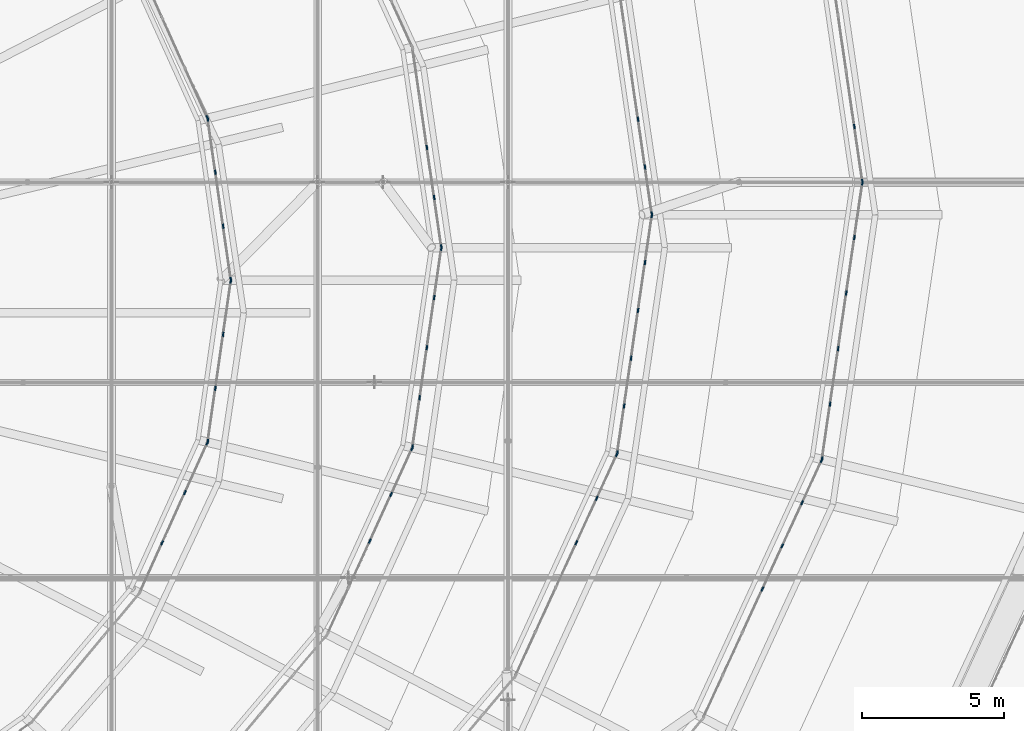
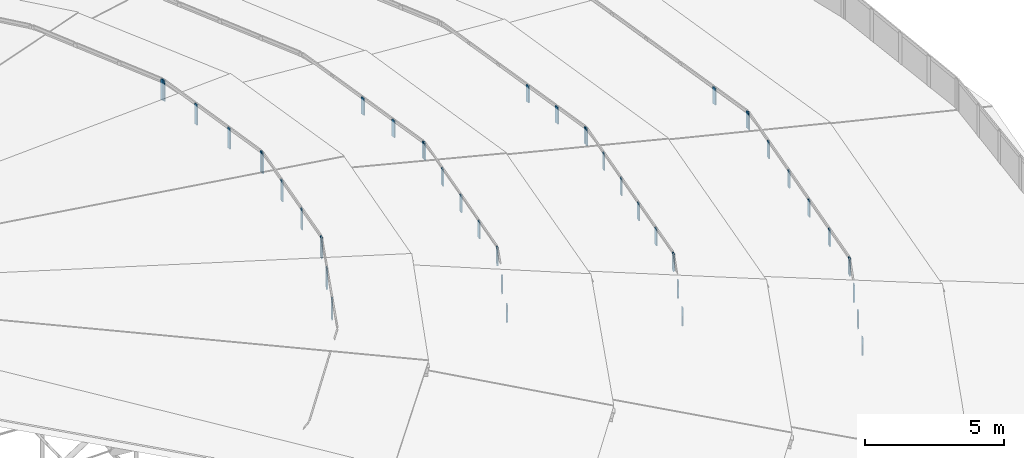
# One storey, part 133 of 173: 47 members, 13 elements without a shape of their own.
"""IFC4 building model written with IfcOpenShell, lengths in metres."""

from ifc_helpers import new_model, si_unit, direction, frame, origin, origin_2d, place, context, subcontext, project, spatial, rectangle, extrude, material, material_profile, profile_set, type_object, element, aggregate, save


model = new_model("IFC4")

# Units and contexts
model_context = context("Model", 3, precision=1e-05, world=origin(), true_north=direction((0.0, 1.0)))
body_context = subcontext(model_context, "Body", "Model", "MODEL_VIEW")
ifc_project = project(units=[si_unit("LENGTHUNIT", "METRE"), si_unit("AREAUNIT", "SQUARE_METRE"), si_unit("VOLUMEUNIT", "CUBIC_METRE"), si_unit("PLANEANGLEUNIT", "RADIAN"), si_unit("MASSUNIT", "GRAM", prefix="KILO")], contexts=[model_context])

# Site, building, storey
site_placement = place(None, origin())
site = spatial("IfcSite", under=ifc_project, at=site_placement, CompositionType="ELEMENT")
building_placement = place(site_placement, origin())
building = spatial("IfcBuilding", under=site, at=building_placement, Name="Glasvene Arena", CompositionType="ELEMENT")
storey_placement = place(building_placement, frame((0.0, 0.0, 28.800048828125)))
storey = spatial("IfcBuildingStorey", under=building, at=storey_placement, Name="RF", CompositionType="ELEMENT", Elevation=28.800048828125)

# Curtain wall, members
ifc_material_1 = material(Name="Low-emissivity laminated double glazing", Category="glass")
curtain_wall_type_1 = type_object("IfcCurtainWallType", Name="CW-PET1-986x75", PredefinedType="USERDEFINED", material=ifc_material_1)
curtain_wall_1_placement = place(storey_placement, frame((133.85009765625, 73.0, 0.0)))
curtain_wall_1 = element("IfcCurtainWall", 1, at=curtain_wall_1_placement, inside=storey, type_object=curtain_wall_type_1, Name="Petal ring 1-2 clerestory curtain wall 01", ObjectType="CURTAIN WALL", PredefinedType="USERDEFINED")
ifc_material_2 = material(Name="Anodised architectural aluminium", Category="aluminium")
ifc_material_profile = material_profile(ifc_material_2, rectangle(XDim=0.050048828125, YDim=0.159912109375, at=origin_2d()), Name="ALU MULLION 50x160")
ifc_profile_set = profile_set([ifc_material_profile], Name="Anodised architectural aluminium")
member_type = type_object("IfcMemberType", Name="CW-MUL-150", PredefinedType="MULLION", material=ifc_profile_set)
member_1_placement = place(storey_placement, frame((133.846435546875, 73.024658203125, 2.579833984375), z_axis=(0.0, 0.0, 1.0), x_axis=(-0.989489040641, -0.144607878249, 0.0)))
member_1 = element("IfcMember", 2, at=member_1_placement, type_object=member_type, Name="CW-081 mullion 1", PredefinedType="MULLION", context=body_context, shape_type="SweptSolid", body=[
    extrude(rectangle(XDim=0.050048828125, YDim=0.159912109375, at=origin_2d()), origin(), (0.0, 0.0, 1.0), 0.75),
])
member_2_placement = place(storey_placement, frame((133.564697265625, 74.951416015625, 2.579833984375), z_axis=(0.0, 0.0, 1.0), x_axis=(-0.989489040641, -0.144607878249, 0.0)))
member_2 = element("IfcMember", 3, at=member_2_placement, type_object=member_type, Name="CW-081 mullion 2", PredefinedType="MULLION", context=body_context, shape_type="SweptSolid", body=[
    extrude(rectangle(XDim=0.050048828125, YDim=0.159912109375, at=origin_2d()), origin(), (0.0, 0.0, 1.0), 0.75),
])
aggregate(curtain_wall_1, [member_1, member_2])

curtain_wall_type_2 = type_object("IfcCurtainWallType", Name="CW-PET1-1001x75", PredefinedType="USERDEFINED", material=ifc_material_1)
curtain_wall_2_placement = place(storey_placement, frame((128.2431640625, 54.14990234375, 0.0)))
curtain_wall_2 = element("IfcCurtainWall", 4, at=curtain_wall_2_placement, inside=storey, type_object=curtain_wall_type_2, Name="Petal ring 1-2 clerestory curtain wall 23", ObjectType="CURTAIN WALL", PredefinedType="USERDEFINED")
member_3_placement = place(storey_placement, frame((130.33349609375, 58.6962890625, 2.579833984375), z_axis=(0.0, 0.0, 1.0), x_axis=(-0.908556831634, 0.41776127596, 0.0)))
member_3 = element("IfcMember", 5, at=member_3_placement, type_object=member_type, Name="CW-082 mullion 4", PredefinedType="MULLION", context=body_context, shape_type="SweptSolid", body=[
    extrude(rectangle(XDim=0.050048828125, YDim=0.159912109375, at=origin_2d()), origin(), (0.0, 0.0, 1.0), 0.75),
])
member_4_placement = place(storey_placement, frame((131.030517578125, 60.211669921875, 2.579833984375), z_axis=(0.0, 0.0, 1.0), x_axis=(-0.908556831634, 0.41776127596, 0.0)))
member_4 = element("IfcMember", 6, at=member_4_placement, type_object=member_type, Name="CW-082 mullion 5", PredefinedType="MULLION", context=body_context, shape_type="SweptSolid", body=[
    extrude(rectangle(XDim=0.050048828125, YDim=0.159912109375, at=origin_2d()), origin(), (0.0, 0.0, 1.0), 0.75),
])
member_5_placement = place(storey_placement, frame((131.727294921875, 61.72705078125, 2.579833984375), z_axis=(0.0, 0.0, 1.0), x_axis=(-0.908556831634, 0.41776127596, 0.0)))
member_5 = element("IfcMember", 7, at=member_5_placement, type_object=member_type, Name="CW-082 mullion 6", PredefinedType="MULLION", context=body_context, shape_type="SweptSolid", body=[
    extrude(rectangle(XDim=0.050048828125, YDim=0.159912109375, at=origin_2d()), origin(), (0.0, 0.0, 1.0), 0.75),
])
member_6_placement = place(storey_placement, frame((132.41357421875, 63.2197265625, 2.579833984375), z_axis=(0.0, 0.0, 1.0), x_axis=(-0.908556831634, 0.41776127596, 0.0)))
member_6 = element("IfcMember", 8, at=member_6_placement, type_object=member_type, Name="CW-082 mullion 7", PredefinedType="MULLION", context=body_context, shape_type="SweptSolid", body=[
    extrude(rectangle(XDim=0.050048828125, YDim=0.159912109375, at=origin_2d()), origin(), (0.0, 0.0, 1.0), 0.75),
])
aggregate(curtain_wall_2, [member_3, member_4, member_5, member_6])

curtain_wall_3_placement = place(storey_placement, frame((132.424072265625, 63.242431640625, 0.0)))
curtain_wall_3 = element("IfcCurtainWall", 9, at=curtain_wall_3_placement, inside=storey, type_object=curtain_wall_type_1, Name="Petal ring 1-2 clerestory curtain wall 24", ObjectType="CURTAIN WALL", PredefinedType="USERDEFINED")
member_7_placement = place(storey_placement, frame((132.427734375, 63.267333984375, 2.579833984375), z_axis=(0.0, 0.0, 1.0), x_axis=(-0.989489040641, 0.144607878249, 0.0)))
member_7 = element("IfcMember", 10, at=member_7_placement, type_object=member_type, Name="CW-081 mullion 1", PredefinedType="MULLION", context=body_context, shape_type="SweptSolid", body=[
    extrude(rectangle(XDim=0.050048828125, YDim=0.159912109375, at=origin_2d()), origin(), (0.0, 0.0, 1.0), 0.75),
])
member_8_placement = place(storey_placement, frame((132.709228515625, 65.194091796875, 2.579833984375), z_axis=(0.0, 0.0, 1.0), x_axis=(-0.989489040641, 0.144607878249, 0.0)))
member_8 = element("IfcMember", 11, at=member_8_placement, type_object=member_type, Name="CW-081 mullion 2", PredefinedType="MULLION", context=body_context, shape_type="SweptSolid", body=[
    extrude(rectangle(XDim=0.050048828125, YDim=0.159912109375, at=origin_2d()), origin(), (0.0, 0.0, 1.0), 0.75),
])
member_9_placement = place(storey_placement, frame((132.994384765625, 67.1455078125, 2.579833984375), z_axis=(0.0, 0.0, 1.0), x_axis=(-0.989489040641, 0.144607878249, 0.0)))
member_9 = element("IfcMember", 12, at=member_9_placement, type_object=member_type, Name="CW-081 mullion 3", PredefinedType="MULLION", context=body_context, shape_type="SweptSolid", body=[
    extrude(rectangle(XDim=0.050048828125, YDim=0.159912109375, at=origin_2d()), origin(), (0.0, 0.0, 1.0), 0.75),
])
member_10_placement = place(storey_placement, frame((133.279541015625, 69.096923828125, 2.579833984375), z_axis=(0.0, 0.0, 1.0), x_axis=(-0.989489040641, 0.144607878249, 0.0)))
member_10 = element("IfcMember", 13, at=member_10_placement, type_object=member_type, Name="CW-081 mullion 4", PredefinedType="MULLION", context=body_context, shape_type="SweptSolid", body=[
    extrude(rectangle(XDim=0.050048828125, YDim=0.159912109375, at=origin_2d()), origin(), (0.0, 0.0, 1.0), 0.75),
])
member_11_placement = place(storey_placement, frame((133.564697265625, 71.048583984375, 2.579833984375), z_axis=(0.0, 0.0, 1.0), x_axis=(-0.989489040641, 0.144607878249, 0.0)))
member_11 = element("IfcMember", 14, at=member_11_placement, type_object=member_type, Name="CW-081 mullion 5", PredefinedType="MULLION", context=body_context, shape_type="SweptSolid", body=[
    extrude(rectangle(XDim=0.050048828125, YDim=0.159912109375, at=origin_2d()), origin(), (0.0, 0.0, 1.0), 0.75),
])
member_12_placement = place(storey_placement, frame((133.846435546875, 72.975341796875, 2.579833984375), z_axis=(0.0, 0.0, 1.0), x_axis=(-0.989489040641, 0.144607878249, 0.0)))
member_12 = element("IfcMember", 15, at=member_12_placement, type_object=member_type, Name="CW-081 mullion 6", PredefinedType="MULLION", context=body_context, shape_type="SweptSolid", body=[
    extrude(rectangle(XDim=0.050048828125, YDim=0.159912109375, at=origin_2d()), origin(), (0.0, 0.0, 1.0), 0.75),
])
aggregate(curtain_wall_3, [member_7, member_8, member_9, member_10, member_11, member_12])

curtain_wall_type_3 = type_object("IfcCurtainWallType", Name="CW-PET2-849x75", PredefinedType="USERDEFINED", material=ifc_material_1)
curtain_wall_4_placement = place(storey_placement, frame((126.449951171875, 71.85009765625, 0.0)))
curtain_wall_4 = element("IfcCurtainWall", 16, at=curtain_wall_4_placement, inside=storey, type_object=curtain_wall_type_3, Name="Petal ring 2-3 clerestory curtain wall 01", ObjectType="CURTAIN WALL", PredefinedType="USERDEFINED")
member_13_placement = place(storey_placement, frame((126.4462890625, 71.874755859375, 5.179931640625), z_axis=(0.0, 0.0, 1.0), x_axis=(-0.98955837799, -0.144132635268, 0.0)))
member_13 = element("IfcMember", 17, at=member_13_placement, type_object=member_type, Name="CW-087 mullion 1", PredefinedType="MULLION", context=body_context, shape_type="SweptSolid", body=[
    extrude(rectangle(XDim=0.050048828125, YDim=0.159912109375, at=origin_2d()), origin(), (0.0, 0.0, 1.0), 0.75),
])
member_14_placement = place(storey_placement, frame((126.205322265625, 73.52978515625, 5.179931640625), z_axis=(0.0, 0.0, 1.0), x_axis=(-0.98955837799, -0.144132635268, 0.0)))
member_14 = element("IfcMember", 18, at=member_14_placement, type_object=member_type, Name="CW-087 mullion 2", PredefinedType="MULLION", context=body_context, shape_type="SweptSolid", body=[
    extrude(rectangle(XDim=0.050048828125, YDim=0.159912109375, at=origin_2d()), origin(), (0.0, 0.0, 1.0), 0.75),
])
member_15_placement = place(storey_placement, frame((125.960693359375, 75.20947265625, 5.179931640625), z_axis=(0.0, 0.0, 1.0), x_axis=(-0.98955837799, -0.144132635268, 0.0)))
member_15 = element("IfcMember", 19, at=member_15_placement, type_object=member_type, Name="CW-087 mullion 3", PredefinedType="MULLION", context=body_context, shape_type="SweptSolid", body=[
    extrude(rectangle(XDim=0.050048828125, YDim=0.159912109375, at=origin_2d()), origin(), (0.0, 0.0, 1.0), 0.75),
])
aggregate(curtain_wall_4, [member_13, member_14, member_15])

curtain_wall_type_4 = type_object("IfcCurtainWallType", Name="CW-PET2-861x75", PredefinedType="USERDEFINED", material=ifc_material_1)
curtain_wall_5_placement = place(storey_placement, frame((121.640380859375, 55.625, 0.0)))
curtain_wall_5 = element("IfcCurtainWall", 20, at=curtain_wall_5_placement, inside=storey, type_object=curtain_wall_type_4, Name="Petal ring 2-3 clerestory curtain wall 23", ObjectType="CURTAIN WALL", PredefinedType="USERDEFINED")
member_16_placement = place(storey_placement, frame((123.792236328125, 60.32080078125, 5.179931640625), z_axis=(0.0, 0.0, 1.0), x_axis=(-0.909093602111, 0.416591913749, 0.0)))
member_16 = element("IfcMember", 21, at=member_16_placement, type_object=member_type, Name="CW-088 mullion 4", PredefinedType="MULLION", context=body_context, shape_type="SweptSolid", body=[
    extrude(rectangle(XDim=0.050048828125, YDim=0.159912109375, at=origin_2d()), origin(), (0.0, 0.0, 1.0), 0.75),
])
member_17_placement = place(storey_placement, frame((124.509521484375, 61.885986328125, 5.179931640625), z_axis=(0.0, 0.0, 1.0), x_axis=(-0.909093602111, 0.416591913749, 0.0)))
member_17 = element("IfcMember", 22, at=member_17_placement, type_object=member_type, Name="CW-088 mullion 5", PredefinedType="MULLION", context=body_context, shape_type="SweptSolid", body=[
    extrude(rectangle(XDim=0.050048828125, YDim=0.159912109375, at=origin_2d()), origin(), (0.0, 0.0, 1.0), 0.75),
])
member_18_placement = place(storey_placement, frame((125.21630859375, 63.428466796875, 5.179931640625), z_axis=(0.0, 0.0, 1.0), x_axis=(-0.909093602111, 0.416591913749, 0.0)))
member_18 = element("IfcMember", 23, at=member_18_placement, type_object=member_type, Name="CW-088 mullion 6", PredefinedType="MULLION", context=body_context, shape_type="SweptSolid", body=[
    extrude(rectangle(XDim=0.050048828125, YDim=0.159912109375, at=origin_2d()), origin(), (0.0, 0.0, 1.0), 0.75),
])
aggregate(curtain_wall_5, [member_16, member_17, member_18])

curtain_wall_6_placement = place(storey_placement, frame((125.226806640625, 63.451416015625, 0.0)))
curtain_wall_6 = element("IfcCurtainWall", 24, at=curtain_wall_6_placement, inside=storey, type_object=curtain_wall_type_3, Name="Petal ring 2-3 clerestory curtain wall 24", ObjectType="CURTAIN WALL", PredefinedType="USERDEFINED")
member_19_placement = place(storey_placement, frame((125.230224609375, 63.47607421875, 5.179931640625), z_axis=(0.0, 0.0, 1.0), x_axis=(-0.98955837799, 0.144132635268, 0.0)))
member_19 = element("IfcMember", 25, at=member_19_placement, type_object=member_type, Name="CW-087 mullion 1", PredefinedType="MULLION", context=body_context, shape_type="SweptSolid", body=[
    extrude(rectangle(XDim=0.050048828125, YDim=0.159912109375, at=origin_2d()), origin(), (0.0, 0.0, 1.0), 0.75),
])
member_20_placement = place(storey_placement, frame((125.471435546875, 65.131103515625, 5.179931640625), z_axis=(0.0, 0.0, 1.0), x_axis=(-0.98955837799, 0.144132635268, 0.0)))
member_20 = element("IfcMember", 26, at=member_20_placement, type_object=member_type, Name="CW-087 mullion 2", PredefinedType="MULLION", context=body_context, shape_type="SweptSolid", body=[
    extrude(rectangle(XDim=0.050048828125, YDim=0.159912109375, at=origin_2d()), origin(), (0.0, 0.0, 1.0), 0.75),
])
member_21_placement = place(storey_placement, frame((125.716064453125, 66.810791015625, 5.179931640625), z_axis=(0.0, 0.0, 1.0), x_axis=(-0.98955837799, 0.144132635268, 0.0)))
member_21 = element("IfcMember", 27, at=member_21_placement, type_object=member_type, Name="CW-087 mullion 3", PredefinedType="MULLION", context=body_context, shape_type="SweptSolid", body=[
    extrude(rectangle(XDim=0.050048828125, YDim=0.159912109375, at=origin_2d()), origin(), (0.0, 0.0, 1.0), 0.75),
])
member_22_placement = place(storey_placement, frame((125.960693359375, 68.490478515625, 5.179931640625), z_axis=(0.0, 0.0, 1.0), x_axis=(-0.98955837799, 0.144132635268, 0.0)))
member_22 = element("IfcMember", 28, at=member_22_placement, type_object=member_type, Name="CW-087 mullion 4", PredefinedType="MULLION", context=body_context, shape_type="SweptSolid", body=[
    extrude(rectangle(XDim=0.050048828125, YDim=0.159912109375, at=origin_2d()), origin(), (0.0, 0.0, 1.0), 0.75),
])
member_23_placement = place(storey_placement, frame((126.205322265625, 70.170166015625, 5.179931640625), z_axis=(0.0, 0.0, 1.0), x_axis=(-0.98955837799, 0.144132635268, 0.0)))
member_23 = element("IfcMember", 29, at=member_23_placement, type_object=member_type, Name="CW-087 mullion 5", PredefinedType="MULLION", context=body_context, shape_type="SweptSolid", body=[
    extrude(rectangle(XDim=0.050048828125, YDim=0.159912109375, at=origin_2d()), origin(), (0.0, 0.0, 1.0), 0.75),
])
member_24_placement = place(storey_placement, frame((126.4462890625, 71.8251953125, 5.179931640625), z_axis=(0.0, 0.0, 1.0), x_axis=(-0.98955837799, 0.144132635268, 0.0)))
member_24 = element("IfcMember", 30, at=member_24_placement, type_object=member_type, Name="CW-087 mullion 6", PredefinedType="MULLION", context=body_context, shape_type="SweptSolid", body=[
    extrude(rectangle(XDim=0.050048828125, YDim=0.159912109375, at=origin_2d()), origin(), (0.0, 0.0, 1.0), 0.75),
])
aggregate(curtain_wall_6, [member_19, member_20, member_21, member_22, member_23, member_24])

curtain_wall_type_5 = type_object("IfcCurtainWallType", Name="CW-PET3-711x75", PredefinedType="USERDEFINED", material=ifc_material_1)
curtain_wall_7_placement = place(storey_placement, frame((119.050048828125, 70.699951171875, 0.0)))
curtain_wall_7 = element("IfcCurtainWall", 31, at=curtain_wall_7_placement, inside=storey, type_object=curtain_wall_type_5, Name="Petal ring 3-4 clerestory curtain wall 01", ObjectType="CURTAIN WALL", PredefinedType="USERDEFINED")
member_25_placement = place(storey_placement, frame((119.04638671875, 70.724853515625, 7.829833984375), z_axis=(0.0, 0.0, 1.0), x_axis=(-0.989656115979, -0.143460001758, 0.0)))
member_25 = element("IfcMember", 32, at=member_25_placement, type_object=member_type, Name="CW-093 mullion 1", PredefinedType="MULLION", context=body_context, shape_type="SweptSolid", body=[
    extrude(rectangle(XDim=0.050048828125, YDim=0.159912109375, at=origin_2d()), origin(), (0.0, 0.0, 1.0), 0.75),
])
member_26_placement = place(storey_placement, frame((118.794921875, 72.4599609375, 7.829833984375), z_axis=(0.0, 0.0, 1.0), x_axis=(-0.989656115979, -0.143460001758, 0.0)))
member_26 = element("IfcMember", 33, at=member_26_placement, type_object=member_type, Name="CW-093 mullion 2", PredefinedType="MULLION", context=body_context, shape_type="SweptSolid", body=[
    extrude(rectangle(XDim=0.050048828125, YDim=0.159912109375, at=origin_2d()), origin(), (0.0, 0.0, 1.0), 0.75),
])
member_27_placement = place(storey_placement, frame((118.539794921875, 74.219970703125, 7.829833984375), z_axis=(0.0, 0.0, 1.0), x_axis=(-0.989656115979, -0.143460001758, 0.0)))
member_27 = element("IfcMember", 34, at=member_27_placement, type_object=member_type, Name="CW-093 mullion 3", PredefinedType="MULLION", context=body_context, shape_type="SweptSolid", body=[
    extrude(rectangle(XDim=0.050048828125, YDim=0.159912109375, at=origin_2d()), origin(), (0.0, 0.0, 1.0), 0.75),
])
aggregate(curtain_wall_7, [member_25, member_26, member_27])

curtain_wall_type_6 = type_object("IfcCurtainWallType", Name="CW-PET3-721x75", PredefinedType="USERDEFINED", material=ifc_material_1)
curtain_wall_8_placement = place(storey_placement, frame((115.03759765625, 57.10009765625, 0.0)))
curtain_wall_8 = element("IfcCurtainWall", 35, at=curtain_wall_8_placement, inside=storey, type_object=curtain_wall_type_6, Name="Petal ring 3-4 clerestory curtain wall 23", ObjectType="CURTAIN WALL", PredefinedType="USERDEFINED")
member_28_placement = place(storey_placement, frame((116.533447265625, 60.380126953125, 7.829833984375), z_axis=(0.0, 0.0, 1.0), x_axis=(-0.909836135842, 0.414967716717, 0.0)))
member_28 = element("IfcMember", 36, at=member_28_placement, type_object=member_type, Name="CW-094 mullion 3", PredefinedType="MULLION", context=body_context, shape_type="SweptSolid", body=[
    extrude(rectangle(XDim=0.050048828125, YDim=0.159912109375, at=origin_2d()), origin(), (0.0, 0.0, 1.0), 0.75),
])
member_29_placement = place(storey_placement, frame((117.281494140625, 62.02001953125, 7.829833984375), z_axis=(0.0, 0.0, 1.0), x_axis=(-0.909836135842, 0.414967716717, 0.0)))
member_29 = element("IfcMember", 37, at=member_29_placement, type_object=member_type, Name="CW-094 mullion 4", PredefinedType="MULLION", context=body_context, shape_type="SweptSolid", body=[
    extrude(rectangle(XDim=0.050048828125, YDim=0.159912109375, at=origin_2d()), origin(), (0.0, 0.0, 1.0), 0.75),
])
member_30_placement = place(storey_placement, frame((118.01904296875, 63.637451171875, 7.829833984375), z_axis=(0.0, 0.0, 1.0), x_axis=(-0.909836135842, 0.414967716717, 0.0)))
member_30 = element("IfcMember", 38, at=member_30_placement, type_object=member_type, Name="CW-094 mullion 5", PredefinedType="MULLION", context=body_context, shape_type="SweptSolid", body=[
    extrude(rectangle(XDim=0.050048828125, YDim=0.159912109375, at=origin_2d()), origin(), (0.0, 0.0, 1.0), 0.75),
])
aggregate(curtain_wall_8, [member_28, member_29, member_30])

curtain_wall_9_placement = place(storey_placement, frame((118.029541015625, 63.66015625, 0.0)))
curtain_wall_9 = element("IfcCurtainWall", 39, at=curtain_wall_9_placement, inside=storey, type_object=curtain_wall_type_5, Name="Petal ring 3-4 clerestory curtain wall 24", ObjectType="CURTAIN WALL", PredefinedType="USERDEFINED")
member_31_placement = place(storey_placement, frame((118.033203125, 63.684814453125, 7.829833984375), z_axis=(0.0, 0.0, 1.0), x_axis=(-0.989656115979, 0.143460001758, 0.0)))
member_31 = element("IfcMember", 40, at=member_31_placement, type_object=member_type, Name="CW-093 mullion 1", PredefinedType="MULLION", context=body_context, shape_type="SweptSolid", body=[
    extrude(rectangle(XDim=0.050048828125, YDim=0.159912109375, at=origin_2d()), origin(), (0.0, 0.0, 1.0), 0.75),
])
member_32_placement = place(storey_placement, frame((118.28466796875, 65.420166015625, 7.829833984375), z_axis=(0.0, 0.0, 1.0), x_axis=(-0.989656115979, 0.143460001758, 0.0)))
member_32 = element("IfcMember", 41, at=member_32_placement, type_object=member_type, Name="CW-093 mullion 2", PredefinedType="MULLION", context=body_context, shape_type="SweptSolid", body=[
    extrude(rectangle(XDim=0.050048828125, YDim=0.159912109375, at=origin_2d()), origin(), (0.0, 0.0, 1.0), 0.75),
])
member_33_placement = place(storey_placement, frame((118.539794921875, 67.179931640625, 7.829833984375), z_axis=(0.0, 0.0, 1.0), x_axis=(-0.989656115979, 0.143460001758, 0.0)))
member_33 = element("IfcMember", 42, at=member_33_placement, type_object=member_type, Name="CW-093 mullion 3", PredefinedType="MULLION", context=body_context, shape_type="SweptSolid", body=[
    extrude(rectangle(XDim=0.050048828125, YDim=0.159912109375, at=origin_2d()), origin(), (0.0, 0.0, 1.0), 0.75),
])
member_34_placement = place(storey_placement, frame((118.794921875, 68.93994140625, 7.829833984375), z_axis=(0.0, 0.0, 1.0), x_axis=(-0.989656115979, 0.143460001758, 0.0)))
member_34 = element("IfcMember", 43, at=member_34_placement, type_object=member_type, Name="CW-093 mullion 4", PredefinedType="MULLION", context=body_context, shape_type="SweptSolid", body=[
    extrude(rectangle(XDim=0.050048828125, YDim=0.159912109375, at=origin_2d()), origin(), (0.0, 0.0, 1.0), 0.75),
])
member_35_placement = place(storey_placement, frame((119.04638671875, 70.67529296875, 7.829833984375), z_axis=(0.0, 0.0, 1.0), x_axis=(-0.989656115979, 0.143460001758, 0.0)))
member_35 = element("IfcMember", 44, at=member_35_placement, type_object=member_type, Name="CW-093 mullion 5", PredefinedType="MULLION", context=body_context, shape_type="SweptSolid", body=[
    extrude(rectangle(XDim=0.050048828125, YDim=0.159912109375, at=origin_2d()), origin(), (0.0, 0.0, 1.0), 0.75),
])
aggregate(curtain_wall_9, [member_31, member_32, member_33, member_34, member_35])

curtain_wall_type_7 = type_object("IfcCurtainWallType", Name="CW-PET4-575x92", PredefinedType="USERDEFINED", material=ifc_material_1)
curtain_wall_10_placement = place(storey_placement, frame((111.64990234375, 69.550048828125, 0.0)))
curtain_wall_10 = element("IfcCurtainWall", 45, at=curtain_wall_10_placement, inside=storey, type_object=curtain_wall_type_7, Name="Petal ring 4-5 clerestory curtain wall 01", ObjectType="CURTAIN WALL", PredefinedType="USERDEFINED")
member_36_placement = place(storey_placement, frame((111.646484375, 69.57470703125, 10.530029296875), z_axis=(0.0, 0.0, 1.0), x_axis=(-0.989842823686, -0.142166045165, 0.0)))
member_36 = element("IfcMember", 46, at=member_36_placement, type_object=member_type, Name="CW-099 mullion 1", PredefinedType="MULLION", context=body_context, shape_type="SweptSolid", body=[
    extrude(rectangle(XDim=0.050048828125, YDim=0.159912109375, at=origin_2d()), origin(), (0.0, 0.0, 1.0), 0.916015625),
])
member_37_placement = place(storey_placement, frame((111.37744140625, 71.447998046875, 10.530029296875), z_axis=(0.0, 0.0, 1.0), x_axis=(-0.989842823686, -0.142166045165, 0.0)))
member_37 = element("IfcMember", 47, at=member_37_placement, type_object=member_type, Name="CW-099 mullion 2", PredefinedType="MULLION", context=body_context, shape_type="SweptSolid", body=[
    extrude(rectangle(XDim=0.050048828125, YDim=0.159912109375, at=origin_2d()), origin(), (0.0, 0.0, 1.0), 0.916015625),
])
member_38_placement = place(storey_placement, frame((111.104736328125, 73.345947265625, 10.530029296875), z_axis=(0.0, 0.0, 1.0), x_axis=(-0.989842823686, -0.142166045165, 0.0)))
member_38 = element("IfcMember", 48, at=member_38_placement, type_object=member_type, Name="CW-099 mullion 3", PredefinedType="MULLION", context=body_context, shape_type="SweptSolid", body=[
    extrude(rectangle(XDim=0.050048828125, YDim=0.159912109375, at=origin_2d()), origin(), (0.0, 0.0, 1.0), 0.916015625),
])
member_39_placement = place(storey_placement, frame((110.835693359375, 75.21923828125, 10.530029296875), z_axis=(0.0, 0.0, 1.0), x_axis=(-0.989842823686, -0.142166045165, 0.0)))
member_39 = element("IfcMember", 49, at=member_39_placement, type_object=member_type, Name="CW-099 mullion 4", PredefinedType="MULLION", context=body_context, shape_type="SweptSolid", body=[
    extrude(rectangle(XDim=0.050048828125, YDim=0.159912109375, at=origin_2d()), origin(), (0.0, 0.0, 1.0), 0.916015625),
])
aggregate(curtain_wall_10, [member_36, member_37, member_38, member_39])

# Curtain wall, member
curtain_wall_type_8 = type_object("IfcCurtainWallType", Name="CW-PET4-582x92", PredefinedType="USERDEFINED", material=ifc_material_1)
curtain_wall_11_placement = place(storey_placement, frame((110.832275390625, 75.243896484375, 0.0)))
curtain_wall_11 = element("IfcCurtainWall", 50, at=curtain_wall_11_placement, inside=storey, type_object=curtain_wall_type_8, Name="Petal ring 4-5 clerestory curtain wall 02", ObjectType="CURTAIN WALL", PredefinedType="USERDEFINED")
member_40_placement = place(storey_placement, frame((110.822021484375, 75.266845703125, 10.530029296875), z_axis=(0.0, 0.0, 1.0), x_axis=(-0.911284127649, -0.411778142566, 0.0)))
member_40 = element("IfcMember", 51, at=member_40_placement, type_object=member_type, Name="CW-100 mullion 1", PredefinedType="MULLION", context=body_context, shape_type="SweptSolid", body=[
    extrude(rectangle(XDim=0.050048828125, YDim=0.159912109375, at=origin_2d()), origin(), (0.0, 0.0, 1.0), 0.916015625),
])
aggregate(curtain_wall_11, [member_40])

# Curtain wall, members
curtain_wall_12_placement = place(storey_placement, frame((108.4345703125, 58.550048828125, 0.0)))
curtain_wall_12 = element("IfcCurtainWall", 52, at=curtain_wall_12_placement, inside=storey, type_object=curtain_wall_type_8, Name="Petal ring 4-5 clerestory curtain wall 23", ObjectType="CURTAIN WALL", PredefinedType="USERDEFINED")
member_41_placement = place(storey_placement, frame((109.23388671875, 60.318603515625, 10.530029296875), z_axis=(0.0, 0.0, 1.0), x_axis=(-0.911284127649, 0.411778142566, 0.0)))
member_41 = element("IfcMember", 53, at=member_41_placement, type_object=member_type, Name="CW-100 mullion 2", PredefinedType="MULLION", context=body_context, shape_type="SweptSolid", body=[
    extrude(rectangle(XDim=0.050048828125, YDim=0.159912109375, at=origin_2d()), origin(), (0.0, 0.0, 1.0), 0.916015625),
])
member_42_placement = place(storey_placement, frame((110.032958984375, 62.08740234375, 10.530029296875), z_axis=(0.0, 0.0, 1.0), x_axis=(-0.911284127649, 0.411778142566, 0.0)))
member_42 = element("IfcMember", 54, at=member_42_placement, type_object=member_type, Name="CW-100 mullion 3", PredefinedType="MULLION", context=body_context, shape_type="SweptSolid", body=[
    extrude(rectangle(XDim=0.050048828125, YDim=0.159912109375, at=origin_2d()), origin(), (0.0, 0.0, 1.0), 0.916015625),
])
member_43_placement = place(storey_placement, frame((110.822021484375, 63.833251953125, 10.530029296875), z_axis=(0.0, 0.0, 1.0), x_axis=(-0.911284127649, 0.411778142566, 0.0)))
member_43 = element("IfcMember", 55, at=member_43_placement, type_object=member_type, Name="CW-100 mullion 4", PredefinedType="MULLION", context=body_context, shape_type="SweptSolid", body=[
    extrude(rectangle(XDim=0.050048828125, YDim=0.159912109375, at=origin_2d()), origin(), (0.0, 0.0, 1.0), 0.916015625),
])
aggregate(curtain_wall_12, [member_41, member_42, member_43])

curtain_wall_13_placement = place(storey_placement, frame((110.832275390625, 63.85595703125, 0.0)))
curtain_wall_13 = element("IfcCurtainWall", 56, at=curtain_wall_13_placement, inside=storey, type_object=curtain_wall_type_7, Name="Petal ring 4-5 clerestory curtain wall 24", ObjectType="CURTAIN WALL", PredefinedType="USERDEFINED")
member_44_placement = place(storey_placement, frame((110.835693359375, 63.880859375, 10.530029296875), z_axis=(0.0, 0.0, 1.0), x_axis=(-0.989842823686, 0.142166045165, 0.0)))
member_44 = element("IfcMember", 57, at=member_44_placement, type_object=member_type, Name="CW-099 mullion 1", PredefinedType="MULLION", context=body_context, shape_type="SweptSolid", body=[
    extrude(rectangle(XDim=0.050048828125, YDim=0.159912109375, at=origin_2d()), origin(), (0.0, 0.0, 1.0), 0.916015625),
])
member_45_placement = place(storey_placement, frame((111.104736328125, 65.75390625, 10.530029296875), z_axis=(0.0, 0.0, 1.0), x_axis=(-0.989842823686, 0.142166045165, 0.0)))
member_45 = element("IfcMember", 58, at=member_45_placement, type_object=member_type, Name="CW-099 mullion 2", PredefinedType="MULLION", context=body_context, shape_type="SweptSolid", body=[
    extrude(rectangle(XDim=0.050048828125, YDim=0.159912109375, at=origin_2d()), origin(), (0.0, 0.0, 1.0), 0.916015625),
])
member_46_placement = place(storey_placement, frame((111.37744140625, 67.652099609375, 10.530029296875), z_axis=(0.0, 0.0, 1.0), x_axis=(-0.989842823686, 0.142166045165, 0.0)))
member_46 = element("IfcMember", 59, at=member_46_placement, type_object=member_type, Name="CW-099 mullion 3", PredefinedType="MULLION", context=body_context, shape_type="SweptSolid", body=[
    extrude(rectangle(XDim=0.050048828125, YDim=0.159912109375, at=origin_2d()), origin(), (0.0, 0.0, 1.0), 0.916015625),
])
member_47_placement = place(storey_placement, frame((111.646484375, 69.525146484375, 10.530029296875), z_axis=(0.0, 0.0, 1.0), x_axis=(-0.989842823686, 0.142166045165, 0.0)))
member_47 = element("IfcMember", 60, at=member_47_placement, type_object=member_type, Name="CW-099 mullion 4", PredefinedType="MULLION", context=body_context, shape_type="SweptSolid", body=[
    extrude(rectangle(XDim=0.050048828125, YDim=0.159912109375, at=origin_2d()), origin(), (0.0, 0.0, 1.0), 0.916015625),
])
aggregate(curtain_wall_13, [member_44, member_45, member_46, member_47])

save(model, "model.ifc")
